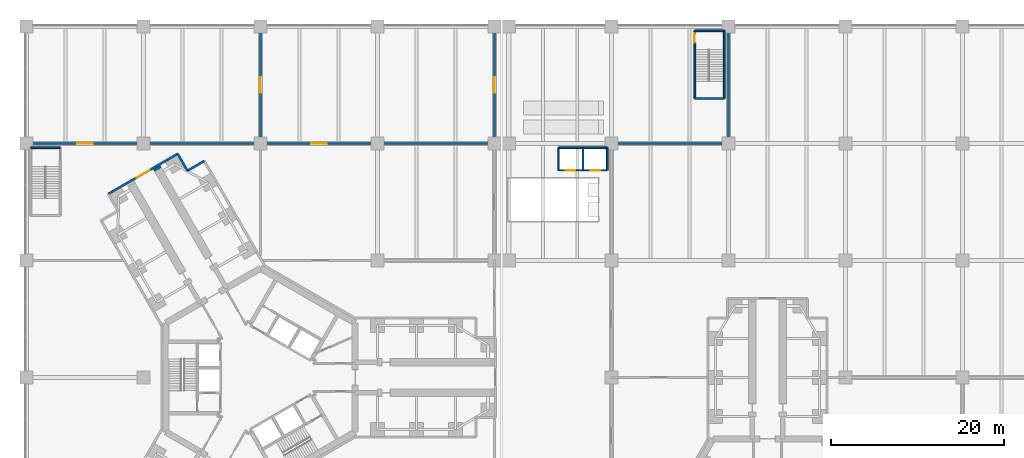
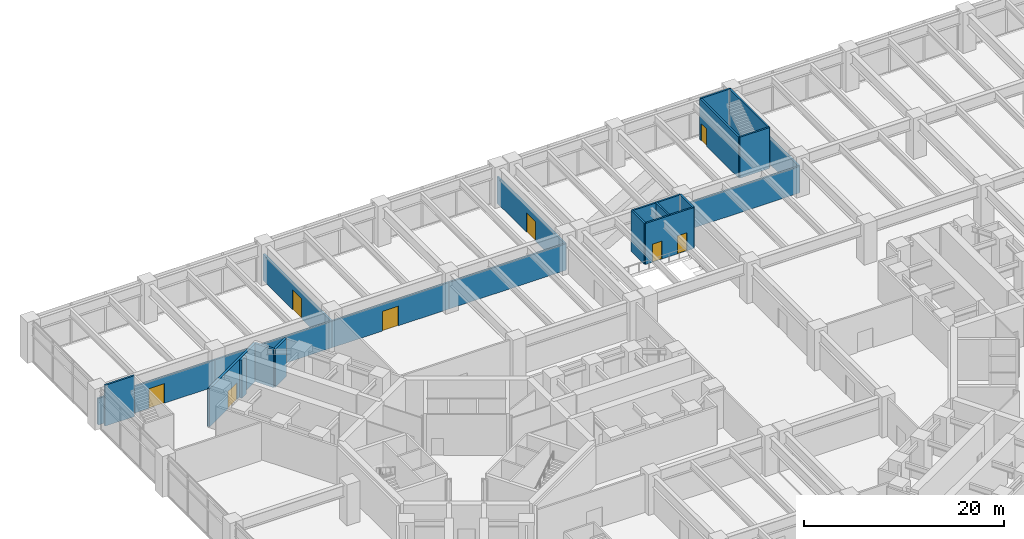
# One storey, part 28 of 32: 22 walls, 8 doors, 8 openings.
"""IFC4 building model written with IfcOpenShell, lengths in metres."""

import ifcopenshell
import ifcopenshell.guid

model = None  # the IFC model being written
_history = None  # IfcOwnerHistory: only IFC2X3 demands one
_inside = {}  # id of a spatial element -> (the spatial element, [elements in it])
_under = {}  # id of a project, library or spatial element -> (it, [spatial elements below it])
_declared = {}  # id of a project -> (the project, [libraries it declares])
_typed = {}  # id of a type object -> (the type object, [elements of that type])
_made_of = {}  # id of a material, layer set ... -> (it, [elements and type objects made of it])


def new_model(schema):
    """Start an empty IFC model of exactly this schema.

    Asked for "IFC4X3", IfcOpenShell would pick the latest addendum, in which some entities
    have other attributes; the version numbers below select the first issue.
    IFC2X3 requires an IfcOwnerHistory on every rooted entity: one is made here for all.
    """
    global model, _history
    if schema == "IFC4X3":
        model = ifcopenshell.file(schema_version=(4, 3, 0, 0))
    else:
        model = ifcopenshell.file(schema=schema)
    _inside.clear()
    _under.clear()
    _declared.clear()
    _typed.clear()
    _made_of.clear()
    _history = None
    if model.schema == "IFC2X3":
        org = make("IfcOrganization", Name="unknown")
        user = make(
            "IfcPersonAndOrganization",
            ThePerson=make("IfcPerson", FamilyName="unknown"),
            TheOrganization=org,
        )
        app = make(
            "IfcApplication",
            ApplicationDeveloper=org,
            Version="unknown",
            ApplicationFullName="unknown",
            ApplicationIdentifier="unknown",
        )
        _history = make(
            "IfcOwnerHistory",
            OwningUser=user,
            OwningApplication=app,
            ChangeAction="ADDED",
            CreationDate=0,
        )
    return model


def make(cls, **values):
    """One entity of the class cls with the attributes given. An attribute that is None is left unset."""
    return model.create_entity(
        cls, **{name: value for name, value in values.items() if value is not None}
    )


def rooted(cls, **values):
    """An entity with a GlobalId (a new one), such as an element, a storey or a relation."""
    return make(cls, GlobalId=ifcopenshell.guid.new(), OwnerHistory=_history, **values)


def si_unit(unit_type, name, prefix=None):
    """IfcSIUnit, for example si_unit("LENGTHUNIT", "METRE", prefix="MILLI")."""
    return make("IfcSIUnit", UnitType=unit_type, Prefix=prefix, Name=name)


def assignment(units):
    """IfcUnitAssignment: the units of a project."""
    return None if units is None else make("IfcUnitAssignment", Units=units)


def point(xyz):
    """IfcCartesianPoint."""
    return None if xyz is None else make("IfcCartesianPoint", Coordinates=xyz)


def direction(xyz):
    """IfcDirection."""
    return None if xyz is None else make("IfcDirection", DirectionRatios=xyz)


def frame(location, z_axis=None, x_axis=None):
    """IfcAxis2Placement3D, a coordinate frame: its origin and axes. An axis left out is left unset."""
    return make(
        "IfcAxis2Placement3D",
        Location=point(location),
        Axis=direction(z_axis),
        RefDirection=direction(x_axis),
    )


def frame_2d(location, x_axis=None):
    """IfcAxis2Placement2D, a coordinate frame in the plane: its origin and x axis."""
    return make(
        "IfcAxis2Placement2D", Location=point(location), RefDirection=direction(x_axis)
    )


def origin():
    """The frame at (0, 0, 0) with its axes left unset."""
    return frame((0.0, 0.0, 0.0))


def place(relative_to, where):
    """IfcLocalPlacement: puts the frame where relative to a parent placement (None: the world)."""
    return make(
        "IfcLocalPlacement", PlacementRelTo=relative_to, RelativePlacement=where
    )


def context(
    kind, dimensions, precision=None, world=None, true_north=None, identifier=None
):
    """IfcGeometricRepresentationContext, for example the 3D "Model" context."""
    return make(
        "IfcGeometricRepresentationContext",
        ContextIdentifier=identifier,
        ContextType=kind,
        CoordinateSpaceDimension=dimensions,
        Precision=precision,
        WorldCoordinateSystem=world,
        TrueNorth=true_north,
    )


def subcontext(parent, identifier, kind, view, scale=None):
    """IfcGeometricRepresentationSubContext, for example "Body" below "Model"."""
    return make(
        "IfcGeometricRepresentationSubContext",
        ContextIdentifier=identifier,
        ContextType=kind,
        ParentContext=parent,
        TargetScale=scale,
        TargetView=view,
    )


def project(units=None, contexts=None):
    """IfcProject with its units and contexts."""
    return rooted(
        "IfcProject",
        Name="project",
        RepresentationContexts=contexts,
        UnitsInContext=assignment(units),
    )


def spatial(cls, under=None, at=None, **own):
    """A site, building, storey or space (cls), placed at a placement, below another one or the project."""
    s = rooted(cls, ObjectPlacement=at, **own)
    if under is not None:
        _under.setdefault(under.id(), (under, []))[1].append(s)
    return s


def profile(cls, at=None, kind="AREA", **sizes):
    """A parametric profile (cls). Its sizes go by their IFC names, for example OverallWidth=200.0."""
    return make(cls, ProfileType=kind, Position=at, **sizes)


def rectangle(**sizes):
    """IfcRectangleProfileDef."""
    return profile("IfcRectangleProfileDef", **sizes)


def extrude(swept, where, along, depth):
    """IfcExtrudedAreaSolid: the profile swept, set in the frame where, extruded along a direction by depth."""
    return make(
        "IfcExtrudedAreaSolid",
        SweptArea=swept,
        Position=where,
        ExtrudedDirection=direction(along),
        Depth=depth,
    )


def shape(context_of_items, identifier, shape_type, items):
    """IfcShapeRepresentation: the items that make up one representation, for example the "Body"."""
    return make(
        "IfcShapeRepresentation",
        ContextOfItems=context_of_items,
        RepresentationIdentifier=identifier,
        RepresentationType=shape_type,
        Items=items,
    )


def material(Name=None, Category=None):
    """IfcMaterial."""
    return make("IfcMaterial", Name=Name, Category=Category)


def layer(
    of_material, thickness, ventilated=None, Name=None, Category=None, Priority=None
):
    """IfcMaterialLayer: one layer of a wall or slab, of a material (None: an air gap)."""
    return make(
        "IfcMaterialLayer",
        Material=of_material,
        LayerThickness=thickness,
        IsVentilated=ventilated,
        Name=Name,
        Category=Category,
        Priority=Priority,
    )


def layer_set(layers, Name=None):
    """IfcMaterialLayerSet."""
    return make("IfcMaterialLayerSet", MaterialLayers=layers, LayerSetName=Name)


def made_of(thing, what):
    """Note that an element or type object is made of a material, layer set ...; save() writes the relation."""
    if what is not None:
        _made_of.setdefault(what.id(), (what, []))[1].append(thing)
    return thing


def type_object(cls, material=None, **own):
    """A type object (cls), such as IfcWallType, which elements share."""
    return made_of(rooted(cls, **own), material)


def element(
    cls,
    number,
    at=None,
    inside=None,
    cuts=None,
    type_object=None,
    material=None,
    context=None,
    identifier="Body",
    shape_type=None,
    held_by="IfcProductDefinitionShape",
    body=None,
    shapes=None,
    **own,
):
    """One element of the class cls, such as IfcWall. Its Tag is "e" and its number.

    at: its placement. inside: the storey or other place that contains it. cuts: it is an
    opening in that element (IfcRelVoidsElement). A single representation is given by context,
    identifier, shape_type and body (its items); several are given by shapes. held_by: the class
    of the entity that holds the representations. save() writes the other relations.
    """
    e = rooted(cls, Tag="e%d" % number, ObjectPlacement=at, **own)
    if body is not None:
        shapes = [shape(context, identifier, shape_type, body)]
    if shapes is not None:
        e.Representation = make(held_by, Representations=shapes)
    if inside is not None:
        _inside.setdefault(inside.id(), (inside, []))[1].append(e)
    if cuts is not None:
        rooted(
            "IfcRelVoidsElement", RelatingBuildingElement=cuts, RelatedOpeningElement=e
        )
    if type_object is not None:
        _typed.setdefault(type_object.id(), (type_object, []))[1].append(e)
    return made_of(e, material)


def fill(opening, filler):
    """IfcRelFillsElement: the door or window that sits in an opening."""
    return rooted(
        "IfcRelFillsElement",
        RelatingOpeningElement=opening,
        RelatedBuildingElement=filler,
    )


def aggregate(whole, parts):
    """IfcRelAggregates: a whole, such as a stair, and the parts it consists of."""
    return rooted("IfcRelAggregates", RelatingObject=whole, RelatedObjects=parts)


def save(model, path):
    """Write the relations noted so far, then the file.

    IfcRelAggregates (storeys below a building ...), IfcRelContainedInSpatialStructure (elements
    in a storey), IfcRelDefinesByType, IfcRelAssociatesMaterial and IfcRelDeclares: one each for
    every whole, place, type object, material and project.
    """
    for whole, parts in _under.values():
        aggregate(whole, parts)
    for where, things in _inside.values():
        rooted(
            "IfcRelContainedInSpatialStructure",
            RelatedElements=things,
            RelatingStructure=where,
        )
    for kind, things in _typed.values():
        rooted("IfcRelDefinesByType", RelatedObjects=things, RelatingType=kind)
    for what, things in _made_of.values():
        rooted("IfcRelAssociatesMaterial", RelatedObjects=things, RelatingMaterial=what)
    for by, libraries in _declared.values():
        rooted("IfcRelDeclares", RelatingContext=by, RelatedDefinitions=libraries)
    model.write(path)


model = new_model("IFC4")

# Units and contexts
model_context = context("Model", 3, precision=1e-05, world=origin(), true_north=direction((0.0, 1.0)))
body_context = subcontext(model_context, "Body", "Model", "MODEL_VIEW")
ifc_project = project(units=[si_unit("LENGTHUNIT", "METRE"), si_unit("AREAUNIT", "SQUARE_METRE"), si_unit("VOLUMEUNIT", "CUBIC_METRE"), si_unit("PLANEANGLEUNIT", "RADIAN"), si_unit("MASSUNIT", "GRAM", prefix="KILO")], contexts=[model_context])

# Site, building, storey
site_placement = place(None, origin())
site = spatial("IfcSite", under=ifc_project, at=site_placement, CompositionType="ELEMENT")
building_placement = place(site_placement, origin())
building = spatial("IfcBuilding", under=site, at=building_placement, Name="Upepo Twin Towers", CompositionType="ELEMENT")
storey_placement = place(building_placement, frame((0.0, 0.0, 5.5)))
storey = spatial("IfcBuildingStorey", under=building, at=storey_placement, Name="L01", CompositionType="ELEMENT", Elevation=5.5)

# Wall
ifc_material_1 = material(Name="Dense concrete blockwork", Category="masonry")
ifc_layer_1 = layer(ifc_material_1, 0.89990234375)
ifc_layer_set_1 = layer_set([ifc_layer_1], Name="Buttress closer 900, blockwork with fire-stopping to the curtain wall")
wall_type_1 = type_object("IfcWallType", Name="Buttress closer 900, blockwork with fire-stopping to the curtain wall", PredefinedType="PARTITIONING", material=ifc_layer_set_1)
wall_1_placement = place(storey_placement, frame((-11.83447265625, 23.997802734375, 0.0), z_axis=(0.0, 0.0, 1.0), x_axis=(-0.499816412211, 0.866131372301, 0.0)))
element("IfcWall", 1, at=wall_1_placement, inside=storey, type_object=wall_type_1, Name="T1 L01 wing B buttress closer R", PredefinedType="PARTITIONING", context=body_context, shape_type="SweptSolid", body=[
    extrude(rectangle(XDim=0.2998046875, YDim=0.89990234375, at=frame_2d((0.14990234375, 0.0))), origin(), (0.0, 0.0, 1.0), 4.64990234375),
])

# Wall, openings, doors
ifc_material_2 = material(Name="Concrete C40/50", Category="concrete")
ifc_layer_2 = layer(ifc_material_2, 0.199951171875)
ifc_layer_set_2 = layer_set([ifc_layer_2], Name="Concrete C40/50")
wall_type_2 = type_object("IfcWallType", Name="Podium lift shaft wall 200 RC", PredefinedType="SHEAR", material=ifc_layer_set_2)
wall_2_placement = place(storey_placement, frame((34.39990234375, 23.89990234375, 0.0), z_axis=(0.0, 0.0, 1.0), x_axis=(1.0, 0.0, 0.0)))
wall_2 = element("IfcWall", 2, at=wall_2_placement, inside=storey, type_object=wall_type_2, Name="Podium lift shaft L01 wall 1", PredefinedType="SHEAR", context=body_context, shape_type="SweptSolid", body=[
    extrude(rectangle(XDim=5.60009765625, YDim=0.199951171875, at=frame_2d((2.800048828125, 0.0))), origin(), (0.0, 0.0, 1.0), 5.0),
])
opening_1_placement = place(wall_2_placement, frame((3.699951171875, 0.0, 0.0)))
opening_1 = element("IfcOpeningElement", 3, at=opening_1_placement, cuts=wall_2, Name="Opening LD1", PredefinedType="OPENING", context=body_context, shape_type="SweptSolid", body=[
    extrude(rectangle(XDim=1.10009765625, YDim=2.199951171875, at=frame_2d((0.550048828125, 1.10009765625))), frame((0.0, 0.10986328125, 0.0), z_axis=(0.0, -1.0, 0.0), x_axis=(1.0, 0.0, 0.0)), (0.0, 0.0, 1.0), 0.219970703125),
])
opening_2_placement = place(wall_2_placement, frame((0.800048828125, 0.0, 0.0)))
opening_2 = element("IfcOpeningElement", 4, at=opening_2_placement, cuts=wall_2, Name="Opening LD1", PredefinedType="OPENING", context=body_context, shape_type="SweptSolid", body=[
    extrude(rectangle(XDim=1.10009765625, YDim=2.199951171875, at=frame_2d((0.550048828125, 1.10009765625))), frame((0.0, 0.10986328125, 0.0), z_axis=(0.0, -1.0, 0.0), x_axis=(1.0, 0.0, 0.0)), (0.0, 0.0, 1.0), 0.219970703125),
])
ifc_material_3 = material(Name="Steel doorset", Category="steel")
door_type_1 = type_object("IfcDoorType", Name="Lift landing door 1100", OperationType="DOUBLE_DOOR_SLIDING", PredefinedType="DOOR", material=ifc_material_3)
door_1_placement = place(opening_1_placement, origin())
door_1 = element("IfcDoor", 5, at=door_1_placement, inside=storey, type_object=door_type_1, Name="Podium L01 lift PL1 landing door", OperationType="DOUBLE_DOOR_SLIDING", OverallHeight=2.199951171875, OverallWidth=1.10009765625, PredefinedType="DOOR", context=body_context, shape_type="SweptSolid", body=[
    extrude(rectangle(XDim=1.10009765625, YDim=2.199951171875, at=frame_2d((0.550048828125, 1.10009765625))), frame((0.0, 0.02490234375, 0.0), z_axis=(0.0, -1.0, 0.0), x_axis=(1.0, 0.0, 0.0)), (0.0, 0.0, 1.0), 0.050048828125),
])
fill(opening_1, door_1)
door_2_placement = place(opening_2_placement, origin())
door_2 = element("IfcDoor", 6, at=door_2_placement, inside=storey, type_object=door_type_1, Name="Podium L01 lift PL2 landing door", OperationType="DOUBLE_DOOR_SLIDING", OverallHeight=2.199951171875, OverallWidth=1.10009765625, PredefinedType="DOOR", context=body_context, shape_type="SweptSolid", body=[
    extrude(rectangle(XDim=1.10009765625, YDim=2.199951171875, at=frame_2d((0.550048828125, 1.10009765625))), frame((0.0, 0.02490234375, 0.0), z_axis=(0.0, -1.0, 0.0), x_axis=(1.0, 0.0, 0.0)), (0.0, 0.0, 1.0), 0.050048828125),
])
fill(opening_2, door_2)

# Walls
wall_3_placement = place(storey_placement, frame((40.0, 23.89990234375, 0.0), z_axis=(0.0, 0.0, 1.0), x_axis=(0.0, 1.0, 0.0)))
element("IfcWall", 7, at=wall_3_placement, inside=storey, type_object=wall_type_2, Name="Podium lift shaft L01 wall 2", PredefinedType="SHEAR", context=body_context, shape_type="SweptSolid", body=[
    extrude(rectangle(XDim=2.60009765625, YDim=0.199951171875, at=frame_2d((1.300048828125, 0.0))), origin(), (0.0, 0.0, 1.0), 5.0),
])
wall_4_placement = place(storey_placement, frame((40.0, 26.5, 0.0), z_axis=(0.0, 0.0, 1.0), x_axis=(-1.0, 0.0, 0.0)))
element("IfcWall", 8, at=wall_4_placement, inside=storey, type_object=wall_type_2, Name="Podium lift shaft L01 wall 3", PredefinedType="SHEAR", context=body_context, shape_type="SweptSolid", body=[
    extrude(rectangle(XDim=5.60009765625, YDim=0.199951171875, at=frame_2d((2.800048828125, 0.0))), origin(), (0.0, 0.0, 1.0), 5.0),
])
for number, where, z_axis, x_axis, name in (
    (9, (34.39990234375, 26.5, 0.0), (0.0, 0.0, 1.0), (0.0, -1.0, 0.0), "Podium lift shaft L01 wall 4"),
    (10, (37.199951171875, 23.89990234375, 0.0), (0.0, 0.0, 1.0), (0.0, 1.0, 0.0), "Podium lift shaft L01 wall 5"),
):
    element("IfcWall", number, at=place(storey_placement, frame(where, z_axis=z_axis, x_axis=x_axis)), inside=storey, type_object=wall_type_2, Name=name, PredefinedType="SHEAR", context=body_context, shape_type="SweptSolid", body=[
        extrude(rectangle(XDim=2.60009765625, YDim=0.199951171875, at=frame_2d((1.300048828125, 0.0))), origin(), (0.0, 0.0, 1.0), 5.0),
    ])

# Wall, opening, door
ifc_material_4 = material(Name="Concrete blockwork", Category="masonry")
ifc_layer_3 = layer(ifc_material_4, 0.199951171875)
ifc_layer_set_3 = layer_set([ifc_layer_3], Name="Podium partition 200 blockwork")
wall_type_3 = type_object("IfcWallType", Name="Podium partition 200 blockwork", PredefinedType="PARTITIONING", material=ifc_layer_set_3)
wall_5_placement = place(storey_placement, frame((-27.0, 27.0, 0.0), z_axis=(0.0, 0.0, 1.0), x_axis=(1.0, 0.0, 0.0)))
wall_5 = element("IfcWall", 11, at=wall_5_placement, inside=storey, type_object=wall_type_3, Name="L01 podium wall Y05", PredefinedType="PARTITIONING", context=body_context, shape_type="SweptSolid", body=[
    extrude(rectangle(XDim=13.5, YDim=0.199951171875, at=frame_2d((6.75, 0.0))), origin(), (0.0, 0.0, 1.0), 3.25),
])
opening_3_placement = place(wall_5_placement, frame((5.85009765625, 0.0, 0.0)))
opening_3 = element("IfcOpeningElement", 12, at=opening_3_placement, cuts=wall_5, Name="Opening D10", PredefinedType="OPENING", context=body_context, shape_type="SweptSolid", body=[
    extrude(rectangle(XDim=1.800048828125, YDim=2.39990234375, at=frame_2d((0.89990234375, 1.199951171875))), frame((0.0, 0.10986328125, 0.0), z_axis=(0.0, -1.0, 0.0), x_axis=(1.0, 0.0, 0.0)), (0.0, 0.0, 1.0), 0.219970703125),
])
ifc_material_5 = material(Name="Timber doorset", Category="wood")
door_type_2 = type_object("IfcDoorType", Name="Podium double door 1800", OperationType="DOUBLE_DOOR_DOUBLE_SWING", PredefinedType="DOOR", material=ifc_material_5)
door_3_placement = place(opening_3_placement, origin())
door_3 = element("IfcDoor", 13, at=door_3_placement, inside=storey, type_object=door_type_2, Name="L01 special collections reading room door", OperationType="DOUBLE_DOOR_DOUBLE_SWING", OverallHeight=2.39990234375, OverallWidth=1.800048828125, PredefinedType="DOOR", context=body_context, shape_type="SweptSolid", body=[
    extrude(rectangle(XDim=1.800048828125, YDim=2.39990234375, at=frame_2d((0.89990234375, 1.199951171875))), frame((0.0, 0.02490234375, 0.0), z_axis=(0.0, -1.0, 0.0), x_axis=(1.0, 0.0, 0.0)), (0.0, 0.0, 1.0), 0.050048828125),
])
fill(opening_3, door_3)

# Wall
wall_6_placement = place(storey_placement, frame((-13.5, 27.0, 0.0), z_axis=(0.0, 0.0, 1.0), x_axis=(1.0, 0.0, 0.0)))
element("IfcWall", 14, at=wall_6_placement, inside=storey, type_object=wall_type_3, Name="L01 podium wall Y15", PredefinedType="PARTITIONING", context=body_context, shape_type="SweptSolid", body=[
    extrude(rectangle(XDim=13.5, YDim=0.199951171875, at=frame_2d((6.75, 0.0))), origin(), (0.0, 0.0, 1.0), 3.25),
])

# Wall, opening, door
wall_7_placement = place(storey_placement, frame((0.0, 27.0, 0.0), z_axis=(0.0, 0.0, 1.0), x_axis=(0.0, 1.0, 0.0)))
wall_7 = element("IfcWall", 15, at=wall_7_placement, inside=storey, type_object=wall_type_3, Name="L01 podium wall X25", PredefinedType="PARTITIONING", context=body_context, shape_type="SweptSolid", body=[
    extrude(rectangle(XDim=13.5, YDim=0.199951171875, at=frame_2d((6.75, 0.0))), origin(), (0.0, 0.0, 1.0), 3.25),
])
opening_4_placement = place(wall_7_placement, frame((5.85009765625, 0.0, 0.0)))
opening_4 = element("IfcOpeningElement", 16, at=opening_4_placement, cuts=wall_7, Name="Opening D10", PredefinedType="OPENING", context=body_context, shape_type="SweptSolid", body=[
    extrude(rectangle(XDim=1.800048828125, YDim=2.39990234375, at=frame_2d((0.89990234375, 1.199951171875))), frame((0.0, 0.10986328125, 0.0), z_axis=(0.0, -1.0, 0.0), x_axis=(1.0, 0.0, 0.0)), (0.0, 0.0, 1.0), 0.219970703125),
])
door_4_placement = place(opening_4_placement, origin())
door_4 = element("IfcDoor", 17, at=door_4_placement, inside=storey, type_object=door_type_2, Name="L01 special collections reading room-library stacks 1.02 door", OperationType="DOUBLE_DOOR_DOUBLE_SWING", OverallHeight=2.39990234375, OverallWidth=1.800048828125, PredefinedType="DOOR", context=body_context, shape_type="SweptSolid", body=[
    extrude(rectangle(XDim=1.800048828125, YDim=2.39990234375, at=frame_2d((0.89990234375, 1.199951171875))), frame((0.0, 0.02490234375, 0.0), z_axis=(0.0, -1.0, 0.0), x_axis=(1.0, 0.0, 0.0)), (0.0, 0.0, 1.0), 0.050048828125),
])
fill(opening_4, door_4)

wall_8_placement = place(storey_placement, frame((0.0, 27.0, 0.0), z_axis=(0.0, 0.0, 1.0), x_axis=(1.0, 0.0, 0.0)))
wall_8 = element("IfcWall", 18, at=wall_8_placement, inside=storey, type_object=wall_type_3, Name="L01 podium wall Y25", PredefinedType="PARTITIONING", context=body_context, shape_type="SweptSolid", body=[
    extrude(rectangle(XDim=13.5, YDim=0.199951171875, at=frame_2d((6.75, 0.0))), origin(), (0.0, 0.0, 1.0), 3.25),
])
opening_5_placement = place(wall_8_placement, frame((5.85009765625, 0.0, 0.0)))
opening_5 = element("IfcOpeningElement", 19, at=opening_5_placement, cuts=wall_8, Name="Opening D10", PredefinedType="OPENING", context=body_context, shape_type="SweptSolid", body=[
    extrude(rectangle(XDim=1.800048828125, YDim=2.39990234375, at=frame_2d((0.89990234375, 1.199951171875))), frame((0.0, 0.10986328125, 0.0), z_axis=(0.0, -1.0, 0.0), x_axis=(1.0, 0.0, 0.0)), (0.0, 0.0, 1.0), 0.219970703125),
])
door_5_placement = place(opening_5_placement, origin())
door_5 = element("IfcDoor", 20, at=door_5_placement, inside=storey, type_object=door_type_2, Name="L01 faculty offices 1.02-library stacks 1.02 door", OperationType="DOUBLE_DOOR_DOUBLE_SWING", OverallHeight=2.39990234375, OverallWidth=1.800048828125, PredefinedType="DOOR", context=body_context, shape_type="SweptSolid", body=[
    extrude(rectangle(XDim=1.800048828125, YDim=2.39990234375, at=frame_2d((0.89990234375, 1.199951171875))), frame((0.0, 0.02490234375, 0.0), z_axis=(0.0, -1.0, 0.0), x_axis=(1.0, 0.0, 0.0)), (0.0, 0.0, 1.0), 0.050048828125),
])
fill(opening_5, door_5)

# Wall
wall_9_placement = place(storey_placement, frame((13.5, 27.0, 0.0), z_axis=(0.0, 0.0, 1.0), x_axis=(1.0, 0.0, 0.0)))
element("IfcWall", 21, at=wall_9_placement, inside=storey, type_object=wall_type_3, Name="L01 podium wall Y35", PredefinedType="PARTITIONING", context=body_context, shape_type="SweptSolid", body=[
    extrude(rectangle(XDim=13.5, YDim=0.199951171875, at=frame_2d((6.75, 0.0))), origin(), (0.0, 0.0, 1.0), 3.25),
])

# Wall, opening, door
wall_10_placement = place(storey_placement, frame((27.0, 27.0, 0.0), z_axis=(0.0, 0.0, 1.0), x_axis=(0.0, 1.0, 0.0)))
wall_10 = element("IfcWall", 22, at=wall_10_placement, inside=storey, type_object=wall_type_3, Name="L01 podium wall X45", PredefinedType="PARTITIONING", context=body_context, shape_type="SweptSolid", body=[
    extrude(rectangle(XDim=13.5, YDim=0.199951171875, at=frame_2d((6.75, 0.0))), origin(), (0.0, 0.0, 1.0), 3.25),
])
opening_6_placement = place(wall_10_placement, frame((5.85009765625, 0.0, 0.0)))
opening_6 = element("IfcOpeningElement", 23, at=opening_6_placement, cuts=wall_10, Name="Opening D10", PredefinedType="OPENING", context=body_context, shape_type="SweptSolid", body=[
    extrude(rectangle(XDim=1.800048828125, YDim=2.39990234375, at=frame_2d((0.89990234375, 1.199951171875))), frame((0.0, 0.10986328125, 0.0), z_axis=(0.0, -1.0, 0.0), x_axis=(1.0, 0.0, 0.0)), (0.0, 0.0, 1.0), 0.219970703125),
])
door_6_placement = place(opening_6_placement, origin())
door_6 = element("IfcDoor", 24, at=door_6_placement, inside=storey, type_object=door_type_2, Name="L01 library stacks 1.02 door", OperationType="DOUBLE_DOOR_DOUBLE_SWING", OverallHeight=2.39990234375, OverallWidth=1.800048828125, PredefinedType="DOOR", context=body_context, shape_type="SweptSolid", body=[
    extrude(rectangle(XDim=1.800048828125, YDim=2.39990234375, at=frame_2d((0.89990234375, 1.199951171875))), frame((0.0, 0.02490234375, 0.0), z_axis=(0.0, -1.0, 0.0), x_axis=(1.0, 0.0, 0.0)), (0.0, 0.0, 1.0), 0.050048828125),
])
fill(opening_6, door_6)

# Walls
for number, where, z_axis, x_axis, name in (
    (25, (40.5, 27.0, 0.0), (0.0, 0.0, 1.0), (1.0, 0.0, 0.0), "L01 podium wall Y55"),
    (26, (54.0, 27.0, 0.0), (0.0, 0.0, 1.0), (0.0, 1.0, 0.0), "L01 podium wall X65"),
):
    element("IfcWall", number, at=place(storey_placement, frame(where, z_axis=z_axis, x_axis=x_axis)), inside=storey, type_object=wall_type_3, Name=name, PredefinedType="PARTITIONING", context=body_context, shape_type="SweptSolid", body=[
        extrude(rectangle(XDim=13.5, YDim=0.199951171875, at=frame_2d((6.75, 0.0))), origin(), (0.0, 0.0, 1.0), 3.25),
    ])
ifc_material_6 = material(Name="Concrete C40/50", Category="concrete")
ifc_layer_4 = layer(ifc_material_6, 0.199951171875)
ifc_layer_set_4 = layer_set([ifc_layer_4], Name="Concrete C40/50")
wall_type_4 = type_object("IfcWallType", Name="Podium stair enclosure 200 RC", PredefinedType="SHEAR", material=ifc_layer_set_4)
for number, where, z_axis, x_axis, name in (
    (27, (-23.10009765625, 26.5, 0.0), (0.0, 0.0, 1.0), (-1.0, 0.0, 0.0), "PS1 L01 enclosure wall 3"),
    (28, (50.10009765625, 32.199951171875, 0.0), (0.0, 0.0, 1.0), (1.0, 0.0, 0.0), "PS4 L01 enclosure wall 1"),
):
    element("IfcWall", number, at=place(storey_placement, frame(where, z_axis=z_axis, x_axis=x_axis)), inside=storey, type_object=wall_type_4, Name=name, PredefinedType="SHEAR", context=body_context, shape_type="SweptSolid", body=[
        extrude(rectangle(XDim=3.39990234375, YDim=0.199951171875, at=frame_2d((1.699951171875, 0.0))), origin(), (0.0, 0.0, 1.0), 5.0),
    ])
wall_11_placement = place(storey_placement, frame((53.5, 32.199951171875, 0.0), z_axis=(0.0, 0.0, 1.0), x_axis=(0.0, 1.0, 0.0)))
element("IfcWall", 29, at=wall_11_placement, inside=storey, type_object=wall_type_4, Name="PS4 L01 enclosure wall 2", PredefinedType="SHEAR", context=body_context, shape_type="SweptSolid", body=[
    extrude(rectangle(XDim=7.800048828125, YDim=0.199951171875, at=frame_2d((3.89990234375, 0.0))), origin(), (0.0, 0.0, 1.0), 5.0),
])
wall_12_placement = place(storey_placement, frame((53.5, 40.0, 0.0), z_axis=(0.0, 0.0, 1.0), x_axis=(-1.0, 0.0, 0.0)))
element("IfcWall", 30, at=wall_12_placement, inside=storey, type_object=wall_type_4, Name="PS4 L01 enclosure wall 3", PredefinedType="SHEAR", context=body_context, shape_type="SweptSolid", body=[
    extrude(rectangle(XDim=3.39990234375, YDim=0.199951171875, at=frame_2d((1.699951171875, 0.0))), origin(), (0.0, 0.0, 1.0), 5.0),
])

# Wall, opening, door
wall_13_placement = place(storey_placement, frame((50.10009765625, 40.0, 0.0), z_axis=(0.0, 0.0, 1.0), x_axis=(0.0, -1.0, 0.0)))
wall_13 = element("IfcWall", 31, at=wall_13_placement, inside=storey, type_object=wall_type_4, Name="PS4 L01 enclosure wall 4", PredefinedType="SHEAR", context=body_context, shape_type="SweptSolid", body=[
    extrude(rectangle(XDim=7.800048828125, YDim=0.199951171875, at=frame_2d((3.89990234375, 0.0))), origin(), (0.0, 0.0, 1.0), 5.0),
])
opening_7_placement = place(wall_13_placement, frame((0.300048828125, 0.0, 0.0)))
opening_7 = element("IfcOpeningElement", 32, at=opening_7_placement, cuts=wall_13, Name="Opening D3", PredefinedType="OPENING", context=body_context, shape_type="SweptSolid", body=[
    extrude(rectangle(XDim=1.10009765625, YDim=2.10009765625, at=frame_2d((0.550048828125, 1.050048828125))), frame((0.0, 0.10986328125, 0.0), z_axis=(0.0, -1.0, 0.0), x_axis=(1.0, 0.0, 0.0)), (0.0, 0.0, 1.0), 0.219970703125),
])
ifc_material_7 = material(Name="Timber doorset", Category="wood")
door_type_3 = type_object("IfcDoorType", Name="Stair door 1100 FD60", OperationType="SINGLE_SWING_LEFT", PredefinedType="DOOR", material=ifc_material_7)
door_7_placement = place(opening_7_placement, origin())
door_7 = element("IfcDoor", 33, at=door_7_placement, inside=storey, type_object=door_type_3, Name="PS4 L01 door", OperationType="SINGLE_SWING_LEFT", OverallHeight=2.10009765625, OverallWidth=1.10009765625, PredefinedType="DOOR", context=body_context, shape_type="SweptSolid", body=[
    extrude(rectangle(XDim=1.10009765625, YDim=2.10009765625, at=frame_2d((0.550048828125, 1.050048828125))), frame((0.0, 0.02490234375, 0.0), z_axis=(0.0, -1.0, 0.0), x_axis=(1.0, 0.0, 0.0)), (0.0, 0.0, 1.0), 0.050048828125),
])
fill(opening_7, door_7)

ifc_material_8 = material(Name="Concrete blockwork", Category="masonry")
ifc_layer_5 = layer(ifc_material_8, 0.25)
ifc_layer_set_5 = layer_set([ifc_layer_5], Name="Tower enclosure wall 250 blockwork")
wall_type_5 = type_object("IfcWallType", Name="Tower enclosure wall 250 blockwork", PredefinedType="STANDARD", material=ifc_layer_set_5)
wall_14_placement = place(storey_placement, frame((-17.56787109375, 21.178466796875, 0.0), z_axis=(0.0, 0.0, 1.0), x_axis=(0.866025598446, 0.499999662836, 0.0)))
wall_14 = element("IfcWall", 34, at=wall_14_placement, inside=storey, type_object=wall_type_5, Name="T1 L01 enclosure wall 10", PredefinedType="STANDARD", context=body_context, shape_type="SweptSolid", body=[
    extrude(rectangle(XDim=9.25, YDim=0.25, at=frame_2d((4.625, 0.0))), origin(), (0.0, 0.0, 1.0), 4.64990234375),
])
opening_8_placement = place(wall_14_placement, frame((3.72509765625, 0.0, 0.0)))
opening_8 = element("IfcOpeningElement", 35, at=opening_8_placement, cuts=wall_14, Name="Opening D2", PredefinedType="OPENING", context=body_context, shape_type="SweptSolid", body=[
    extrude(rectangle(XDim=1.800048828125, YDim=2.10009765625, at=frame_2d((0.89990234375, 1.050048828125))), frame((0.0, 0.135009765625, 0.0), z_axis=(0.0, -1.0, 0.0), x_axis=(1.0, 0.0, 0.0)), (0.0, 0.0, 1.0), 0.27001953125),
])
ifc_material_9 = material(Name="Timber doorset", Category="wood")
door_type_4 = type_object("IfcDoorType", Name="Corridor double door 1800 FD60", OperationType="DOUBLE_DOOR_DOUBLE_SWING", PredefinedType="DOOR", material=ifc_material_9)
door_8_placement = place(opening_8_placement, origin())
door_8 = element("IfcDoor", 36, at=door_8_placement, inside=storey, type_object=door_type_4, Name="T1 L01 wing B podium door", OperationType="DOUBLE_DOOR_DOUBLE_SWING", OverallHeight=2.10009765625, OverallWidth=1.800048828125, PredefinedType="DOOR", context=body_context, shape_type="SweptSolid", body=[
    extrude(rectangle(XDim=1.800048828125, YDim=2.10009765625, at=frame_2d((0.89990234375, 1.050048828125))), frame((0.0, 0.02490234375, 0.0), z_axis=(0.0, -1.0, 0.0), x_axis=(1.0, 0.0, 0.0)), (0.0, 0.0, 1.0), 0.050048828125),
])
fill(opening_8, door_8)

# Walls
for number, where, z_axis, x_axis, name in (
    (37, (-9.55712890625, 25.803466796875, 0.0), (0.0, 0.0, 1.0), (0.500013631625, -0.866017533419, 0.0), "T1 L01 enclosure wall 11"),
    (38, (-8.43212890625, 23.85498046875, 0.0), (0.0, 0.0, 1.0), (0.866017533419, 0.500013631625, 0.0), "T1 L01 enclosure wall 12"),
):
    element("IfcWall", number, at=place(storey_placement, frame(where, z_axis=z_axis, x_axis=x_axis)), inside=storey, type_object=wall_type_5, Name=name, PredefinedType="STANDARD", context=body_context, shape_type="SweptSolid", body=[
        extrude(rectangle(XDim=2.25, YDim=0.25, at=frame_2d((1.125, 0.0))), origin(), (0.0, 0.0, 1.0), 4.64990234375),
    ])

save(model, "model.ifc")
